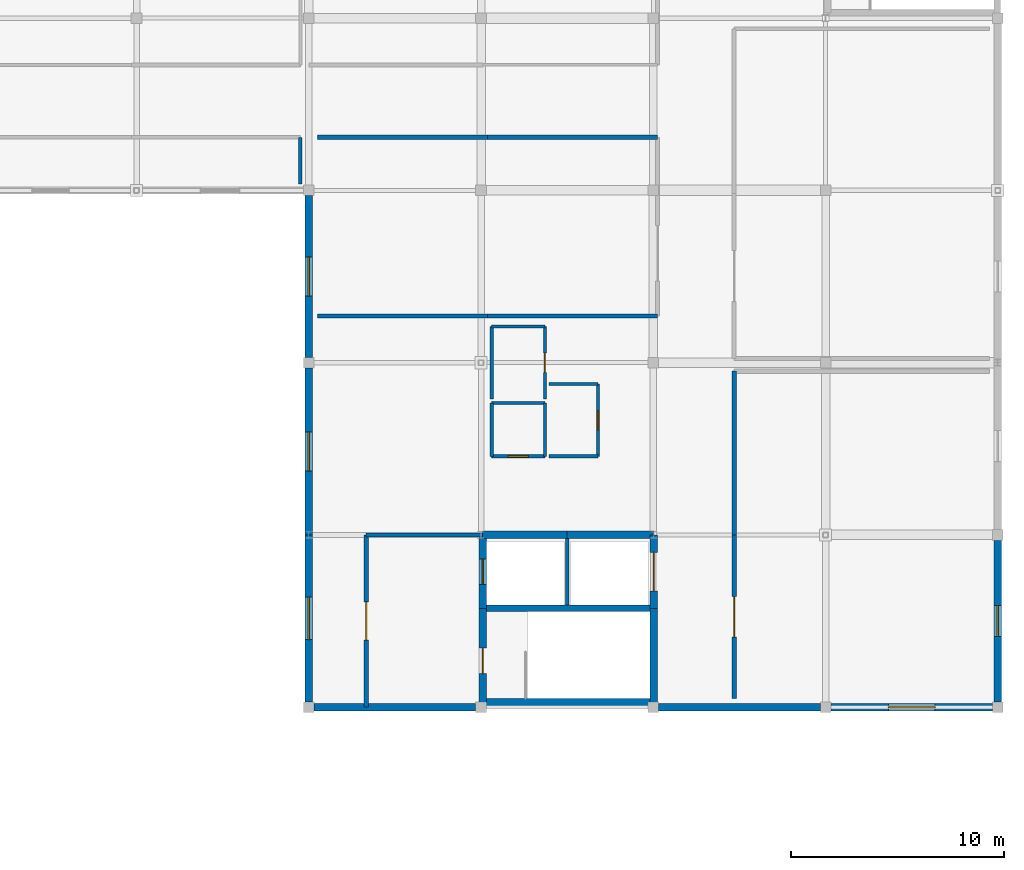
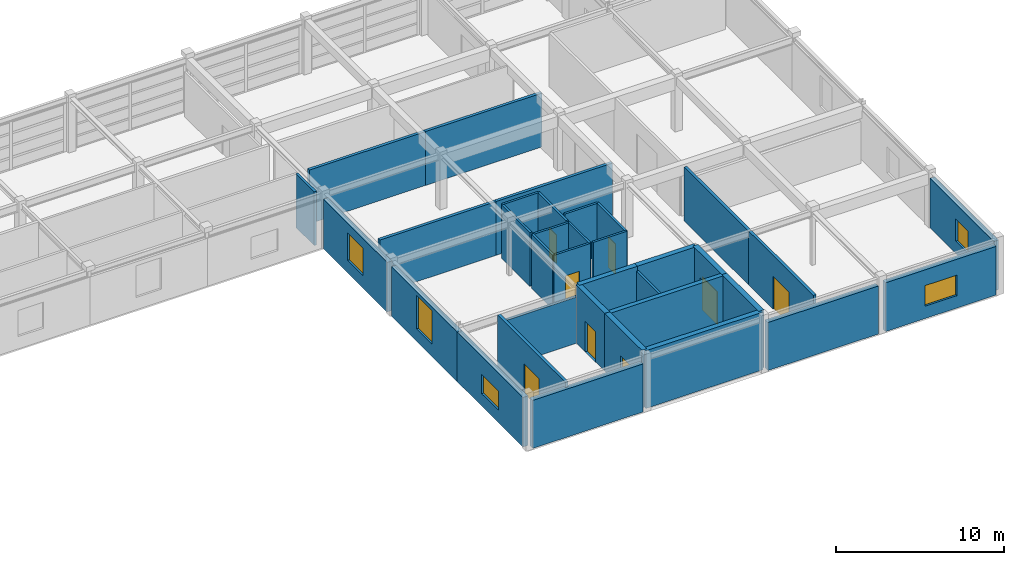
# One storey, part 17 of 19: 35 walls, 8 doors, 5 windows, 13 openings.
"""IFC4 building model written with IfcOpenShell, lengths in metres."""

from ifc_helpers import new_model, si_unit, direction, frame, frame_2d, origin, place, context, subcontext, project, spatial, rectangle, extrude, material, layer, layer_set, type_object, element, fill, save


model = new_model("IFC4")

# Units and contexts
model_context = context("Model", 3, precision=1e-05, world=origin(), true_north=direction((0.0, 1.0)))
body_context = subcontext(model_context, "Body", "Model", "MODEL_VIEW")
ifc_project = project(units=[si_unit("LENGTHUNIT", "METRE"), si_unit("AREAUNIT", "SQUARE_METRE"), si_unit("VOLUMEUNIT", "CUBIC_METRE"), si_unit("PLANEANGLEUNIT", "RADIAN"), si_unit("MASSUNIT", "GRAM", prefix="KILO")], contexts=[model_context])

# Site, building, storey
site_placement = place(None, origin())
site = spatial("IfcSite", under=ifc_project, at=site_placement, CompositionType="ELEMENT")
building_placement = place(site_placement, origin())
building = spatial("IfcBuilding", under=site, at=building_placement, Name="Parian Resonance Hall", CompositionType="ELEMENT")
storey_placement = place(building_placement, frame((0.0, 0.0, 23.39990234375)))
storey = spatial("IfcBuildingStorey", under=building, at=storey_placement, Name="L05", CompositionType="ELEMENT", Elevation=23.39990234375)

# Wall
ifc_material_1 = material(Name="Concrete C40/50", Category="concrete")
ifc_layer_1 = layer(ifc_material_1, 0.31005859375)
ifc_layer_set_1 = layer_set([ifc_layer_1], Name="Concrete C40/50")
wall_type_1 = type_object("IfcWallType", Name="CW310", PredefinedType="SHEAR", material=ifc_layer_set_1)
wall_1_placement = place(storey_placement, frame((121.570068359375, 53.25, 0.0), z_axis=(0.0, 0.0, 1.0), x_axis=(1.0, 0.0, 0.0)))
element("IfcWall", 1, at=wall_1_placement, inside=storey, type_object=wall_type_1, Name="Core K2 stair-lift divider wall L05", PredefinedType="SHEAR", context=body_context, shape_type="SweptSolid", body=[
    extrude(rectangle(XDim=8.059814453125, YDim=0.31005859375, at=frame_2d((4.02978515625, 0.0))), origin(), (0.0, 0.0, 1.0), 4.2001953125),
])

# Wall, opening, door
ifc_material_2 = material(Name="Concrete C40/50", Category="concrete")
ifc_layer_2 = layer(ifc_material_2, 0.35009765625)
ifc_layer_set_2 = layer_set([ifc_layer_2], Name="Concrete C40/50")
wall_type_2 = type_object("IfcWallType", Name="CW350", PredefinedType="SHEAR", material=ifc_layer_set_2)
wall_2_placement = place(storey_placement, frame((121.570068359375, 48.830078125, 0.0), z_axis=(0.0, 0.0, 1.0), x_axis=(0.0, 1.0, 0.0)))
wall_2 = element("IfcWall", 2, at=wall_2_placement, inside=storey, type_object=wall_type_2, Name="Core K2 stairwell west shear wall L05", PredefinedType="SHEAR", context=body_context, shape_type="SweptSolid", body=[
    extrude(rectangle(XDim=4.419921875, YDim=0.35009765625, at=frame_2d((2.2099609375, 0.0))), origin(), (0.0, 0.0, 1.0), 4.2001953125),
])
opening_1_placement = place(wall_2_placement, frame((1.35009765625, 0.0, 0.0)))
opening_1 = element("IfcOpeningElement", 3, at=opening_1_placement, cuts=wall_2, Name="Opening FD-01", PredefinedType="OPENING", context=body_context, shape_type="SweptSolid", body=[
    extrude(rectangle(XDim=1.199951171875, YDim=2.25, at=frame_2d((0.60009765625, 1.125))), frame((0.0, 0.18505859375, 0.0), z_axis=(0.0, -1.0, 0.0), x_axis=(1.0, 0.0, 0.0)), (0.0, 0.0, 1.0), 0.3701171875),
])
ifc_material_3 = material(Name="Fire-rated acoustic steel and narra timber door", Category="steel")
door_type_1 = type_object("IfcDoorType", Name="FD-01", OperationType="NOTDEFINED", PredefinedType="DOOR", material=ifc_material_3)
door_1_placement = place(opening_1_placement, origin())
door_1 = element("IfcDoor", 4, at=door_1_placement, inside=storey, type_object=door_type_1, Name="Exit stair ST-02 fire door L05", OperationType="SINGLE_SWING_RIGHT", OverallHeight=2.25, OverallWidth=1.199951171875, PredefinedType="DOOR", context=body_context, shape_type="SweptSolid", body=[
    extrude(rectangle(XDim=1.199951171875, YDim=2.25, at=frame_2d((0.60009765625, 1.125))), frame((0.0, 0.02490234375, 0.0), z_axis=(0.0, -1.0, 0.0), x_axis=(1.0, 0.0, 0.0)), (0.0, 0.0, 1.0), 0.050048828125),
])
fill(opening_1, door_1)

wall_3_placement = place(storey_placement, frame((121.570068359375, 53.25, 0.0), z_axis=(0.0, 0.0, 1.0), x_axis=(0.0, 1.0, 0.0)))
wall_3 = element("IfcWall", 5, at=wall_3_placement, inside=storey, type_object=wall_type_2, Name="Core K2 lift shaft west shear wall L05", PredefinedType="SHEAR", context=body_context, shape_type="SweptSolid", body=[
    extrude(rectangle(XDim=3.449951171875, YDim=0.35009765625, at=frame_2d((1.72509765625, 0.0))), origin(), (0.0, 0.0, 1.0), 4.2001953125),
])
opening_2_placement = place(wall_3_placement, frame((1.125, 0.0, 0.0)))
opening_2 = element("IfcOpeningElement", 6, at=opening_2_placement, cuts=wall_3, Name="Opening LD-01", PredefinedType="OPENING", context=body_context, shape_type="SweptSolid", body=[
    extrude(rectangle(XDim=1.199951171875, YDim=2.199951171875, at=frame_2d((0.60009765625, 1.10009765625))), frame((0.0, 0.18505859375, 0.0), z_axis=(0.0, -1.0, 0.0), x_axis=(1.0, 0.0, 0.0)), (0.0, 0.0, 1.0), 0.3701171875),
])
ifc_material_4 = material(Name="Stainless steel and bronze elevator cab", Category="steel")
door_type_2 = type_object("IfcDoorType", Name="DOOR-LIFT-1200x2200", OperationType="SLIDING_TO_LEFT", PredefinedType="DOOR", material=ifc_material_4)
door_2_placement = place(opening_2_placement, origin())
door_2 = element("IfcDoor", 7, at=door_2_placement, inside=storey, type_object=door_type_2, Name="Lift LF-02 sliding landing door L05", OperationType="SLIDING_TO_LEFT", OverallHeight=2.199951171875, OverallWidth=1.199951171875, PredefinedType="DOOR", context=body_context, shape_type="SweptSolid", body=[
    extrude(rectangle(XDim=1.199951171875, YDim=2.199951171875, at=frame_2d((0.60009765625, 1.10009765625))), frame((0.0, 0.02490234375, 0.0), z_axis=(0.0, -1.0, 0.0), x_axis=(1.0, 0.0, 0.0)), (0.0, 0.0, 1.0), 0.050048828125),
])
fill(opening_2, door_2)

# Walls
wall_4_placement = place(storey_placement, frame((121.570068359375, 56.699951171875, 0.0), z_axis=(0.0, 0.0, 1.0), x_axis=(1.0, 0.0, 0.0)))
element("IfcWall", 8, at=wall_4_placement, inside=storey, type_object=wall_type_2, Name="Core K2 north-west shaft wall L05", PredefinedType="SHEAR", context=body_context, shape_type="SweptSolid", body=[
    extrude(rectangle(XDim=3.97998046875, YDim=0.35009765625, at=frame_2d((1.989990234375, 0.0))), origin(), (0.0, 0.0, 1.0), 4.2001953125),
])
wall_5_placement = place(storey_placement, frame((125.550048828125, 56.699951171875, 0.0), z_axis=(0.0, 0.0, 1.0), x_axis=(1.0, 0.0, 0.0)))
element("IfcWall", 9, at=wall_5_placement, inside=storey, type_object=wall_type_2, Name="Core K2 north-east shaft wall L05", PredefinedType="SHEAR", context=body_context, shape_type="SweptSolid", body=[
    extrude(rectangle(XDim=4.079833984375, YDim=0.35009765625, at=frame_2d((2.0400390625, 0.0))), origin(), (0.0, 0.0, 1.0), 4.2001953125),
])

# Wall, opening, door
wall_6_placement = place(storey_placement, frame((129.6298828125, 56.699951171875, 0.0), z_axis=(0.0, 0.0, 1.0), x_axis=(0.0, -1.0, 0.0)))
wall_6 = element("IfcWall", 10, at=wall_6_placement, inside=storey, type_object=wall_type_2, Name="Core K2 east shaft wall L05", PredefinedType="SHEAR", context=body_context, shape_type="SweptSolid", body=[
    extrude(rectangle(XDim=3.449951171875, YDim=0.35009765625, at=frame_2d((1.72509765625, 0.0))), origin(), (0.0, 0.0, 1.0), 4.2001953125),
])
opening_3_placement = place(wall_6_placement, frame((0.824951171875, 0.0, 0.0)))
opening_3 = element("IfcOpeningElement", 11, at=opening_3_placement, cuts=wall_6, Name="Opening LD-02", PredefinedType="OPENING", context=body_context, shape_type="SweptSolid", body=[
    extrude(rectangle(XDim=1.800048828125, YDim=2.39990234375, at=frame_2d((0.89990234375, 1.199951171875))), frame((0.0, 0.18505859375, 0.0), z_axis=(0.0, -1.0, 0.0), x_axis=(1.0, 0.0, 0.0)), (0.0, 0.0, 1.0), 0.3701171875),
])
ifc_material_5 = material(Name="Stainless steel and bronze elevator cab", Category="steel")
door_type_3 = type_object("IfcDoorType", Name="DOOR-LIFT-1800x2400", OperationType="SLIDING_TO_LEFT", PredefinedType="DOOR", material=ifc_material_5)
door_3_placement = place(opening_3_placement, origin())
door_3 = element("IfcDoor", 12, at=door_3_placement, inside=storey, type_object=door_type_3, Name="Lift LF-07 sliding landing door L05", OperationType="SLIDING_TO_LEFT", OverallHeight=2.39990234375, OverallWidth=1.800048828125, PredefinedType="DOOR", context=body_context, shape_type="SweptSolid", body=[
    extrude(rectangle(XDim=1.800048828125, YDim=2.39990234375, at=frame_2d((0.89990234375, 1.199951171875))), frame((0.0, 0.02490234375, 0.0), z_axis=(0.0, -1.0, 0.0), x_axis=(1.0, 0.0, 0.0)), (0.0, 0.0, 1.0), 0.050048828125),
])
fill(opening_3, door_3)

# Walls
wall_7_placement = place(storey_placement, frame((129.6298828125, 53.25, 0.0), z_axis=(0.0, 0.0, 1.0), x_axis=(0.0, -1.0, 0.0)))
element("IfcWall", 13, at=wall_7_placement, inside=storey, type_object=wall_type_2, Name="Core K2 stairwell east wall L05", PredefinedType="SHEAR", context=body_context, shape_type="SweptSolid", body=[
    extrude(rectangle(XDim=4.419921875, YDim=0.35009765625, at=frame_2d((2.2099609375, 0.0))), origin(), (0.0, 0.0, 1.0), 4.2001953125),
])
wall_8_placement = place(storey_placement, frame((129.6298828125, 48.830078125, 0.0), z_axis=(0.0, 0.0, 1.0), x_axis=(-1.0, 0.0, 0.0)))
element("IfcWall", 14, at=wall_8_placement, inside=storey, type_object=wall_type_2, Name="Core K2 stairwell south wall L05", PredefinedType="SHEAR", context=body_context, shape_type="SweptSolid", body=[
    extrude(rectangle(XDim=8.059814453125, YDim=0.35009765625, at=frame_2d((4.02978515625, 0.0))), origin(), (0.0, 0.0, 1.0), 4.2001953125),
])

# Wall, opening, window
ifc_material_6 = material(Name="Concrete C35/45 with Carcar coral-limestone ashlar", Category="masonry")
ifc_layer_3 = layer(ifc_material_6, 0.340087890625)
ifc_layer_set_3 = layer_set([ifc_layer_3], Name="Concrete C35/45 with Carcar coral-limestone ashlar")
wall_type_3 = type_object("IfcWallType", Name="EW-STONE-340", PredefinedType="SOLIDWALL", material=ifc_layer_set_3)
wall_9_placement = place(storey_placement, frame((145.800048828125, 48.85009765625, 0.0), z_axis=(0.0, 0.0, 1.0), x_axis=(0.0, 1.0, 0.0)))
wall_9 = element("IfcWall", 15, at=wall_9_placement, inside=storey, type_object=wall_type_3, Name="Perimeter closure wall L05", PredefinedType="SOLIDWALL", context=body_context, shape_type="SweptSolid", body=[
    extrude(rectangle(XDim=7.599853515625, YDim=0.340087890625, at=frame_2d((3.7998046875, 0.0))), origin(), (0.0, 0.0, 1.0), 3.607177734375),
])
opening_4_placement = place(wall_9_placement, frame((3.074951171875, 0.0, 0.89990234375)))
opening_4 = element("IfcOpeningElement", 16, at=opening_4_placement, cuts=wall_9, Name="Opening WN-21", PredefinedType="OPENING", context=body_context, shape_type="SweptSolid", body=[
    extrude(rectangle(XDim=1.449951171875, YDim=1.60009765625, at=frame_2d((0.72509765625, 0.800048828125))), frame((0.0, 0.179931640625, 0.0), z_axis=(0.0, -1.0, 0.0), x_axis=(1.0, 0.0, 0.0)), (0.0, 0.0, 1.0), 0.360107421875),
])
ifc_material_7 = material(Name="Acoustic laminated double glazing", Category="glass")
window_type_1 = type_object("IfcWindowType", Name="WIN-1450x1600", PartitioningType="SINGLE_PANEL", PredefinedType="WINDOW", material=ifc_material_7)
window_1_placement = place(opening_4_placement, origin())
window_1 = element("IfcWindow", 17, at=window_1_placement, inside=storey, type_object=window_type_1, Name="Acoustic window L05-0128", OverallHeight=1.60009765625, OverallWidth=1.449951171875, PartitioningType="SINGLE_PANEL", PredefinedType="WINDOW", context=body_context, shape_type="SweptSolid", body=[
    extrude(rectangle(XDim=1.449951171875, YDim=1.60009765625, at=frame_2d((0.72509765625, 0.800048828125))), frame((0.0, 0.030029296875, 0.0), z_axis=(0.0, -1.0, 0.0), x_axis=(1.0, 0.0, 0.0)), (0.0, 0.0, 1.0), 0.06005859375),
])
fill(opening_4, window_1)

wall_10_placement = place(storey_placement, frame((113.39990234375, 72.64990234375, 0.0), z_axis=(0.0, 0.0, 1.0), x_axis=(0.0, -1.0, 0.0)))
wall_10 = element("IfcWall", 18, at=wall_10_placement, inside=storey, type_object=wall_type_3, Name="Perimeter closure wall L05", PredefinedType="SOLIDWALL", context=body_context, shape_type="SweptSolid", body=[
    extrude(rectangle(XDim=7.599853515625, YDim=0.340087890625, at=frame_2d((3.7998046875, 0.0))), origin(), (0.0, 0.0, 1.0), 3.607177734375),
])
opening_5_placement = place(wall_10_placement, frame((2.875, 0.0, 0.89990234375)))
opening_5 = element("IfcOpeningElement", 19, at=opening_5_placement, cuts=wall_10, Name="Opening WN-34", PredefinedType="OPENING", context=body_context, shape_type="SweptSolid", body=[
    extrude(rectangle(XDim=1.85009765625, YDim=2.0, at=frame_2d((0.925048828125, 1.0))), frame((0.0, 0.179931640625, 0.0), z_axis=(0.0, -1.0, 0.0), x_axis=(1.0, 0.0, 0.0)), (0.0, 0.0, 1.0), 0.360107421875),
])
ifc_material_8 = material(Name="Acoustic laminated double glazing", Category="glass")
window_type_2 = type_object("IfcWindowType", Name="WIN-1850x2000", PartitioningType="SINGLE_PANEL", PredefinedType="WINDOW", material=ifc_material_8)
window_2_placement = place(opening_5_placement, origin())
window_2 = element("IfcWindow", 20, at=window_2_placement, inside=storey, type_object=window_type_2, Name="Acoustic window L05-0138", OverallHeight=2.0, OverallWidth=1.85009765625, PartitioningType="SINGLE_PANEL", PredefinedType="WINDOW", context=body_context, shape_type="SweptSolid", body=[
    extrude(rectangle(XDim=1.85009765625, YDim=2.0, at=frame_2d((0.925048828125, 1.0))), frame((0.0, 0.030029296875, 0.0), z_axis=(0.0, -1.0, 0.0), x_axis=(1.0, 0.0, 0.0)), (0.0, 0.0, 1.0), 0.06005859375),
])
fill(opening_5, window_2)

wall_11_placement = place(storey_placement, frame((113.39990234375, 64.550048828125, 0.0), z_axis=(0.0, 0.0, 1.0), x_axis=(0.0, -1.0, 0.0)))
wall_11 = element("IfcWall", 21, at=wall_11_placement, inside=storey, type_object=wall_type_3, Name="Perimeter closure wall L05", PredefinedType="SOLIDWALL", context=body_context, shape_type="SweptSolid", body=[
    extrude(rectangle(XDim=7.85009765625, YDim=0.340087890625, at=frame_2d((3.925048828125, 0.0))), origin(), (0.0, 0.0, 1.0), 3.607177734375),
])
opening_6_placement = place(wall_11_placement, frame((3.0, 0.0, 0.89990234375)))
opening_6 = element("IfcOpeningElement", 22, at=opening_6_placement, cuts=wall_11, Name="Opening WN-35", PredefinedType="OPENING", context=body_context, shape_type="SweptSolid", body=[
    extrude(rectangle(XDim=1.85009765625, YDim=2.449951171875, at=frame_2d((0.925048828125, 1.22509765625))), frame((0.0, 0.179931640625, 0.0), z_axis=(0.0, -1.0, 0.0), x_axis=(1.0, 0.0, 0.0)), (0.0, 0.0, 1.0), 0.360107421875),
])
ifc_material_9 = material(Name="Acoustic laminated double glazing", Category="glass")
window_type_3 = type_object("IfcWindowType", Name="WIN-1850x2450", PartitioningType="SINGLE_PANEL", PredefinedType="WINDOW", material=ifc_material_9)
window_3_placement = place(opening_6_placement, origin())
window_3 = element("IfcWindow", 23, at=window_3_placement, inside=storey, type_object=window_type_3, Name="Acoustic window L05-0139", OverallHeight=2.449951171875, OverallWidth=1.85009765625, PartitioningType="SINGLE_PANEL", PredefinedType="WINDOW", context=body_context, shape_type="SweptSolid", body=[
    extrude(rectangle(XDim=1.85009765625, YDim=2.449951171875, at=frame_2d((0.925048828125, 1.22509765625))), frame((0.0, 0.030029296875, 0.0), z_axis=(0.0, -1.0, 0.0), x_axis=(1.0, 0.0, 0.0)), (0.0, 0.0, 1.0), 0.06005859375),
])
fill(opening_6, window_3)

wall_12_placement = place(storey_placement, frame((113.39990234375, 56.699951171875, 0.0), z_axis=(0.0, 0.0, 1.0), x_axis=(0.0, -1.0, 0.0)))
wall_12 = element("IfcWall", 24, at=wall_12_placement, inside=storey, type_object=wall_type_3, Name="Perimeter closure wall L05", PredefinedType="SOLIDWALL", context=body_context, shape_type="SweptSolid", body=[
    extrude(rectangle(XDim=7.849853515625, YDim=0.340087890625, at=frame_2d((3.9248046875, 0.0))), origin(), (0.0, 0.0, 1.0), 3.607177734375),
])
opening_7_placement = place(wall_12_placement, frame((2.925048828125, 0.0, 0.89990234375)))
opening_7 = element("IfcOpeningElement", 25, at=opening_7_placement, cuts=wall_12, Name="Opening WN-36", PredefinedType="OPENING", context=body_context, shape_type="SweptSolid", body=[
    extrude(rectangle(XDim=2.0, YDim=1.39990234375, at=frame_2d((1.0, 0.699951171875))), frame((0.0, 0.179931640625, 0.0), z_axis=(0.0, -1.0, 0.0), x_axis=(1.0, 0.0, 0.0)), (0.0, 0.0, 1.0), 0.360107421875),
])
ifc_material_10 = material(Name="Acoustic laminated double glazing", Category="glass")
window_type_4 = type_object("IfcWindowType", Name="WIN-2000x1400", PartitioningType="SINGLE_PANEL", PredefinedType="WINDOW", material=ifc_material_10)
window_4_placement = place(opening_7_placement, origin())
window_4 = element("IfcWindow", 26, at=window_4_placement, inside=storey, type_object=window_type_4, Name="Acoustic window L05-0140", OverallHeight=1.39990234375, OverallWidth=2.0, PartitioningType="SINGLE_PANEL", PredefinedType="WINDOW", context=body_context, shape_type="SweptSolid", body=[
    extrude(rectangle(XDim=2.0, YDim=1.39990234375, at=frame_2d((1.0, 0.699951171875))), frame((0.0, 0.030029296875, 0.0), z_axis=(0.0, -1.0, 0.0), x_axis=(1.0, 0.0, 0.0)), (0.0, 0.0, 1.0), 0.06005859375),
])
fill(opening_7, window_4)

# Walls
wall_13_placement = place(storey_placement, frame((113.64990234375, 48.60009765625, 0.0), z_axis=(0.0, 0.0, 1.0), x_axis=(1.0, 0.0, 0.0)))
element("IfcWall", 27, at=wall_13_placement, inside=storey, type_object=wall_type_3, Name="Perimeter closure wall L05", PredefinedType="SOLIDWALL", context=body_context, shape_type="SweptSolid", body=[
    extrude(rectangle(XDim=7.60009765625, YDim=0.340087890625, at=frame_2d((3.800048828125, 0.0))), origin(), (0.0, 0.0, 1.0), 3.4951171875),
])
wall_14_placement = place(storey_placement, frame((129.85009765625, 48.60009765625, 0.0), z_axis=(0.0, 0.0, 1.0), x_axis=(1.0, 0.0, 0.0)))
element("IfcWall", 28, at=wall_14_placement, inside=storey, type_object=wall_type_3, Name="Perimeter closure wall L05", PredefinedType="SOLIDWALL", context=body_context, shape_type="SweptSolid", body=[
    extrude(rectangle(XDim=7.599853515625, YDim=0.340087890625, at=frame_2d((3.7998046875, 0.0))), origin(), (0.0, 0.0, 1.0), 3.4951171875),
])

# Wall, opening, window
wall_15_placement = place(storey_placement, frame((137.949951171875, 48.60009765625, 0.0), z_axis=(0.0, 0.0, 1.0), x_axis=(1.0, 0.0, 0.0)))
wall_15 = element("IfcWall", 29, at=wall_15_placement, inside=storey, type_object=wall_type_3, Name="Perimeter closure wall L05", PredefinedType="SOLIDWALL", context=body_context, shape_type="SweptSolid", body=[
    extrude(rectangle(XDim=7.60009765625, YDim=0.340087890625, at=frame_2d((3.800048828125, 0.0))), origin(), (0.0, 0.0, 1.0), 3.547119140625),
])
opening_8_placement = place(wall_15_placement, frame((2.699951171875, 0.0, 0.89990234375)))
opening_8 = element("IfcOpeningElement", 30, at=opening_8_placement, cuts=wall_15, Name="Opening WN-39", PredefinedType="OPENING", context=body_context, shape_type="SweptSolid", body=[
    extrude(rectangle(XDim=2.199951171875, YDim=1.5, at=frame_2d((1.10009765625, 0.75))), frame((0.0, 0.179931640625, 0.0), z_axis=(0.0, -1.0, 0.0), x_axis=(1.0, 0.0, 0.0)), (0.0, 0.0, 1.0), 0.360107421875),
])
ifc_material_11 = material(Name="Acoustic laminated double glazing", Category="glass")
window_type_5 = type_object("IfcWindowType", Name="WIN-2200x1500", PartitioningType="SINGLE_PANEL", PredefinedType="WINDOW", material=ifc_material_11)
window_5_placement = place(opening_8_placement, origin())
window_5 = element("IfcWindow", 31, at=window_5_placement, inside=storey, type_object=window_type_5, Name="Acoustic window L05-0141", OverallHeight=1.5, OverallWidth=2.199951171875, PartitioningType="SINGLE_PANEL", PredefinedType="WINDOW", context=body_context, shape_type="SweptSolid", body=[
    extrude(rectangle(XDim=2.199951171875, YDim=1.5, at=frame_2d((1.10009765625, 0.75))), frame((0.0, 0.030029296875, 0.0), z_axis=(0.0, -1.0, 0.0), x_axis=(1.0, 0.0, 0.0)), (0.0, 0.0, 1.0), 0.06005859375),
])
fill(opening_8, window_5)

# Wall, opening, door
ifc_material_12 = material(Name="Concrete C35/45 fire barrier", Category="concrete")
ifc_layer_4 = layer(ifc_material_12, 0.199951171875)
ifc_layer_set_4 = layer_set([ifc_layer_4], Name="Concrete C35/45 fire barrier")
wall_type_4 = type_object("IfcWallType", Name="FW200", PredefinedType="PARTITIONING", material=ifc_layer_set_4)
wall_16_placement = place(storey_placement, frame((116.10009765625, 48.60009765625, 0.0), z_axis=(0.0, 0.0, 1.0), x_axis=(0.0, 1.0, 0.0)))
wall_16 = element("IfcWall", 32, at=wall_16_placement, inside=storey, type_object=wall_type_4, Name="Firefighting lift lobby K2 west fire barrier L05", PredefinedType="PARTITIONING", context=body_context, shape_type="SweptSolid", body=[
    extrude(rectangle(XDim=8.099853515625, YDim=0.199951171875, at=frame_2d((4.0498046875, 0.0))), origin(), (0.0, 0.0, 1.0), 3.900146484375),
])
opening_9_placement = place(wall_16_placement, frame((3.14990234375, 0.0, 0.0)))
opening_9 = element("IfcOpeningElement", 33, at=opening_9_placement, cuts=wall_16, Name="Opening FD-02", PredefinedType="OPENING", context=body_context, shape_type="SweptSolid", body=[
    extrude(rectangle(XDim=1.800048828125, YDim=2.25, at=frame_2d((0.89990234375, 1.125))), frame((0.0, 0.10986328125, 0.0), z_axis=(0.0, -1.0, 0.0), x_axis=(1.0, 0.0, 0.0)), (0.0, 0.0, 1.0), 0.219970703125),
])
ifc_material_13 = material(Name="Fire-rated acoustic steel and narra timber door", Category="steel")
door_type_4 = type_object("IfcDoorType", Name="FD-02", OperationType="NOTDEFINED", PredefinedType="DOOR", material=ifc_material_13)
door_4_placement = place(opening_9_placement, origin())
door_4 = element("IfcDoor", 34, at=door_4_placement, inside=storey, type_object=door_type_4, Name="Firefighting lift lobby K2 smoke-seal fire door L05", OperationType="DOUBLE_DOOR_SINGLE_SWING", OverallHeight=2.25, OverallWidth=1.800048828125, PredefinedType="DOOR", context=body_context, shape_type="SweptSolid", body=[
    extrude(rectangle(XDim=1.800048828125, YDim=2.25, at=frame_2d((0.89990234375, 1.125))), frame((0.0, 0.02490234375, 0.0), z_axis=(0.0, -1.0, 0.0), x_axis=(1.0, 0.0, 0.0)), (0.0, 0.0, 1.0), 0.050048828125),
])
fill(opening_9, door_4)

# Wall
wall_17_placement = place(storey_placement, frame((116.10009765625, 56.699951171875, 0.0), z_axis=(0.0, 0.0, 1.0), x_axis=(1.0, 0.0, 0.0)))
element("IfcWall", 35, at=wall_17_placement, inside=storey, type_object=wall_type_4, Name="Firefighting lift lobby K2 N fire barrier L05", PredefinedType="PARTITIONING", context=body_context, shape_type="SweptSolid", body=[
    extrude(rectangle(XDim=5.469970703125, YDim=0.199951171875, at=frame_2d((2.73486328125, 0.0))), origin(), (0.0, 0.0, 1.0), 3.356201171875),
])

# Wall, opening, door
wall_18_placement = place(storey_placement, frame((133.39990234375, 49.0, 0.0), z_axis=(0.0, 0.0, 1.0), x_axis=(0.0, 1.0, 0.0)))
wall_18 = element("IfcWall", 36, at=wall_18_placement, inside=storey, type_object=wall_type_4, Name="Interior acoustic partition IW-L05-0303", PredefinedType="PARTITIONING", context=body_context, shape_type="SweptSolid", body=[
    extrude(rectangle(XDim=7.699951171875, YDim=0.199951171875, at=frame_2d((3.85009765625, 0.0))), origin(), (0.0, 0.0, 1.0), 3.920166015625),
])
opening_10_placement = place(wall_18_placement, frame((2.89990234375, 0.0, 0.0)))
opening_10 = element("IfcOpeningElement", 37, at=opening_10_placement, cuts=wall_18, Name="Opening ID-03", PredefinedType="OPENING", context=body_context, shape_type="SweptSolid", body=[
    extrude(rectangle(XDim=1.89990234375, YDim=2.39990234375, at=frame_2d((0.949951171875, 1.199951171875))), frame((0.0, 0.10986328125, 0.0), z_axis=(0.0, -1.0, 0.0), x_axis=(1.0, 0.0, 0.0)), (0.0, 0.0, 1.0), 0.219970703125),
])
ifc_material_14 = material(Name="Fire-rated acoustic steel and narra timber door", Category="steel")
door_type_5 = type_object("IfcDoorType", Name="ID-HALL-1900x2400", OperationType="NOTDEFINED", PredefinedType="DOOR", material=ifc_material_14)
door_5_placement = place(opening_10_placement, origin())
door_5 = element("IfcDoor", 38, at=door_5_placement, inside=storey, type_object=door_type_5, Name="Upper Acoustic AHU Mechanical Plant door", OperationType="DOUBLE_DOOR_SINGLE_SWING", OverallHeight=2.39990234375, OverallWidth=1.89990234375, PredefinedType="DOOR", context=body_context, shape_type="SweptSolid", body=[
    extrude(rectangle(XDim=1.89990234375, YDim=2.39990234375, at=frame_2d((0.949951171875, 1.199951171875))), frame((0.0, 0.02490234375, 0.0), z_axis=(0.0, -1.0, 0.0), x_axis=(1.0, 0.0, 0.0)), (0.0, 0.0, 1.0), 0.050048828125),
])
fill(opening_10, door_5)

# Walls
wall_19_placement = place(storey_placement, frame((133.39990234375, 56.699951171875, 0.0), z_axis=(0.0, 0.0, 1.0), x_axis=(0.0, 1.0, 0.0)))
element("IfcWall", 39, at=wall_19_placement, inside=storey, type_object=wall_type_4, Name="Interior acoustic partition IW-L05-0304", PredefinedType="PARTITIONING", context=body_context, shape_type="SweptSolid", body=[
    extrude(rectangle(XDim=7.699951171875, YDim=0.199951171875, at=frame_2d((3.85009765625, 0.0))), origin(), (0.0, 0.0, 1.0), 3.920166015625),
])
for number, where, z_axis, x_axis, name in (
    (40, (129.800048828125, 67.0, 0.0), (0.0, 0.0, 1.0), (-1.0, 0.0, 0.0), "Interior acoustic partition IW-L05-0307"),
    (41, (121.800048828125, 67.0, 0.0), (0.0, 0.0, 1.0), (-1.0, 0.0, 0.0), "Interior acoustic partition IW-L05-0308"),
    (42, (113.800048828125, 75.39990234375, 0.0), (0.0, 0.0, 1.0), (1.0, 0.0, 0.0), "Interior acoustic partition IW-L05-0309"),
    (43, (121.800048828125, 75.39990234375, 0.0), (0.0, 0.0, 1.0), (1.0, 0.0, 0.0), "Interior acoustic partition IW-L05-0310"),
):
    element("IfcWall", number, at=place(storey_placement, frame(where, z_axis=z_axis, x_axis=x_axis)), inside=storey, type_object=wall_type_4, Name=name, PredefinedType="PARTITIONING", context=body_context, shape_type="SweptSolid", body=[
        extrude(rectangle(XDim=8.0, YDim=0.199951171875, at=frame_2d((4.0, 0.0))), origin(), (0.0, 0.0, 1.0), 3.920166015625),
    ])
ifc_material_15 = material(Name="Concrete C35/45 acoustic plumbing chase wall", Category="concrete")
ifc_layer_5 = layer(ifc_material_15, 0.14990234375)
ifc_layer_set_5 = layer_set([ifc_layer_5], Name="Concrete C35/45 acoustic plumbing chase wall")
wall_type_5 = type_object("IfcWallType", Name="PW150", PredefinedType="PLUMBINGWALL", material=ifc_layer_set_5)
wall_20_placement = place(storey_placement, frame((125.550048828125, 53.409912109375, 0.0), z_axis=(0.0, 0.0, 1.0), x_axis=(0.0, 1.0, 0.0)))
element("IfcWall", 44, at=wall_20_placement, inside=storey, type_object=wall_type_5, Name="Core K2 shaft plumbing/riser divider L05", PredefinedType="PLUMBINGWALL", context=body_context, shape_type="SweptSolid", body=[
    extrude(rectangle(XDim=3.130126953125, YDim=0.14990234375, at=frame_2d((1.56494140625, 0.0))), origin(), (0.0, 0.0, 1.0), 3.85009765625),
])
wall_21_placement = place(storey_placement, frame((124.5, 62.89990234375, 0.0), z_axis=(0.0, 0.0, 1.0), x_axis=(0.0, -1.0, 0.0)))
element("IfcWall", 45, at=wall_21_placement, inside=storey, type_object=wall_type_5, Name="Interior acoustic partition IW-L05-0280", PredefinedType="PLUMBINGWALL", context=body_context, shape_type="SweptSolid", body=[
    extrude(rectangle(XDim=2.5, YDim=0.14990234375, at=frame_2d((1.25, 0.0))), origin(), (0.0, 0.0, 1.0), 3.920166015625),
])

# Wall, opening, door
wall_22_placement = place(storey_placement, frame((124.5, 60.39990234375, 0.0), z_axis=(0.0, 0.0, 1.0), x_axis=(-1.0, 0.0, 0.0)))
wall_22 = element("IfcWall", 46, at=wall_22_placement, inside=storey, type_object=wall_type_5, Name="Interior acoustic partition IW-L05-0281", PredefinedType="PLUMBINGWALL", context=body_context, shape_type="SweptSolid", body=[
    extrude(rectangle(XDim=2.5, YDim=0.14990234375, at=frame_2d((1.25, 0.0))), origin(), (0.0, 0.0, 1.0), 3.920166015625),
])
opening_11_placement = place(wall_22_placement, frame((0.77001953125, 0.0, 0.0)))
opening_11 = element("IfcOpeningElement", 47, at=opening_11_placement, cuts=wall_22, Name="Opening ID-21", PredefinedType="OPENING", context=body_context, shape_type="SweptSolid", body=[
    extrude(rectangle(XDim=0.9599609375, YDim=2.159912109375, at=frame_2d((0.47998046875, 1.080078125))), frame((0.0, 0.0849609375, 0.0), z_axis=(0.0, -1.0, 0.0), x_axis=(1.0, 0.0, 0.0)), (0.0, 0.0, 1.0), 0.169921875),
])
ifc_material_16 = material(Name="Philippine narra acoustic timber door", Category="wood")
door_type_6 = type_object("IfcDoorType", Name="ID-AWC-0960x2160", OperationType="NOTDEFINED", PredefinedType="DOOR", material=ifc_material_16)
door_6_placement = place(opening_11_placement, origin())
door_6 = element("IfcDoor", 48, at=door_6_placement, inside=storey, type_object=door_type_6, Name="Accessible WC W1 door", OperationType="SINGLE_SWING_LEFT", OverallHeight=2.159912109375, OverallWidth=0.9599609375, PredefinedType="DOOR", context=body_context, shape_type="SweptSolid", body=[
    extrude(rectangle(XDim=0.9599609375, YDim=2.159912109375, at=frame_2d((0.47998046875, 1.080078125))), frame((0.0, 0.02490234375, 0.0), z_axis=(0.0, -1.0, 0.0), x_axis=(1.0, 0.0, 0.0)), (0.0, 0.0, 1.0), 0.050048828125),
])
fill(opening_11, door_6)

# Walls
for number, where, z_axis, x_axis, name in (
    (49, (122.0, 60.39990234375, 0.0), (0.0, 0.0, 1.0), (0.0, 1.0, 0.0), "Interior acoustic partition IW-L05-0282"),
    (50, (122.0, 62.89990234375, 0.0), (0.0, 0.0, 1.0), (1.0, 0.0, 0.0), "Interior acoustic partition IW-L05-0283"),
):
    element("IfcWall", number, at=place(storey_placement, frame(where, z_axis=z_axis, x_axis=x_axis)), inside=storey, type_object=wall_type_5, Name=name, PredefinedType="PLUMBINGWALL", context=body_context, shape_type="SweptSolid", body=[
        extrude(rectangle(XDim=2.5, YDim=0.14990234375, at=frame_2d((1.25, 0.0))), origin(), (0.0, 0.0, 1.0), 3.920166015625),
    ])

# Wall, opening, door
wall_23_placement = place(storey_placement, frame((127.0, 63.800048828125, 0.0), z_axis=(0.0, 0.0, 1.0), x_axis=(0.0, -1.0, 0.0)))
wall_23 = element("IfcWall", 51, at=wall_23_placement, inside=storey, type_object=wall_type_5, Name="Interior acoustic partition IW-L05-0284", PredefinedType="PLUMBINGWALL", context=body_context, shape_type="SweptSolid", body=[
    extrude(rectangle(XDim=3.400146484375, YDim=0.14990234375, at=frame_2d((1.7001953125, 0.0))), origin(), (0.0, 0.0, 1.0), 3.920166015625),
])
opening_12_placement = place(wall_23_placement, frame((1.25, 0.0, 0.0)))
opening_12 = element("IfcOpeningElement", 52, at=opening_12_placement, cuts=wall_23, Name="Opening ID-23", PredefinedType="OPENING", context=body_context, shape_type="SweptSolid", body=[
    extrude(rectangle(XDim=0.89990234375, YDim=2.199951171875, at=frame_2d((0.449951171875, 1.10009765625))), frame((0.0, 0.0849609375, 0.0), z_axis=(0.0, -1.0, 0.0), x_axis=(1.0, 0.0, 0.0)), (0.0, 0.0, 1.0), 0.169921875),
])
ifc_material_17 = material(Name="Philippine narra acoustic timber door", Category="wood")
door_type_7 = type_object("IfcDoorType", Name="ID-WC-0900x2200", OperationType="NOTDEFINED", PredefinedType="DOOR", material=ifc_material_17)
door_7_placement = place(opening_12_placement, origin())
door_7 = element("IfcDoor", 53, at=door_7_placement, inside=storey, type_object=door_type_7, Name="Female Restroom W1 door", OperationType="SINGLE_SWING_RIGHT", OverallHeight=2.199951171875, OverallWidth=0.89990234375, PredefinedType="DOOR", context=body_context, shape_type="SweptSolid", body=[
    extrude(rectangle(XDim=0.89990234375, YDim=2.199951171875, at=frame_2d((0.449951171875, 1.10009765625))), frame((0.0, 0.02490234375, 0.0), z_axis=(0.0, -1.0, 0.0), x_axis=(1.0, 0.0, 0.0)), (0.0, 0.0, 1.0), 0.050048828125),
])
fill(opening_12, door_7)

# Walls
for number, where, z_axis, x_axis, name in (
    (54, (127.0, 60.39990234375, 0.0), (0.0, 0.0, 1.0), (-1.0, 0.0, 0.0), "Interior acoustic partition IW-L05-0285"),
    (55, (124.699951171875, 63.800048828125, 0.0), (0.0, 0.0, 1.0), (1.0, 0.0, 0.0), "Interior acoustic partition IW-L05-0286"),
):
    element("IfcWall", number, at=place(storey_placement, frame(where, z_axis=z_axis, x_axis=x_axis)), inside=storey, type_object=wall_type_5, Name=name, PredefinedType="PLUMBINGWALL", context=body_context, shape_type="SweptSolid", body=[
        extrude(rectangle(XDim=2.300048828125, YDim=0.14990234375, at=frame_2d((1.14990234375, 0.0))), origin(), (0.0, 0.0, 1.0), 3.920166015625),
    ])

# Wall, opening, door
wall_24_placement = place(storey_placement, frame((124.5, 66.5, 0.0), z_axis=(0.0, 0.0, 1.0), x_axis=(0.0, -1.0, 0.0)))
wall_24 = element("IfcWall", 56, at=wall_24_placement, inside=storey, type_object=wall_type_5, Name="Interior acoustic partition IW-L05-0287", PredefinedType="PLUMBINGWALL", context=body_context, shape_type="SweptSolid", body=[
    extrude(rectangle(XDim=3.39990234375, YDim=0.14990234375, at=frame_2d((1.699951171875, 0.0))), origin(), (0.0, 0.0, 1.0), 3.920166015625),
])
opening_13_placement = place(wall_24_placement, frame((1.25, 0.0, 0.0)))
opening_13 = element("IfcOpeningElement", 57, at=opening_13_placement, cuts=wall_24, Name="Opening ID-22", PredefinedType="OPENING", context=body_context, shape_type="SweptSolid", body=[
    extrude(rectangle(XDim=0.89990234375, YDim=2.10009765625, at=frame_2d((0.449951171875, 1.050048828125))), frame((0.0, 0.0849609375, 0.0), z_axis=(0.0, -1.0, 0.0), x_axis=(1.0, 0.0, 0.0)), (0.0, 0.0, 1.0), 0.169921875),
])
ifc_material_18 = material(Name="Philippine narra acoustic timber door", Category="wood")
door_type_8 = type_object("IfcDoorType", Name="ID-WC-0900x2100", OperationType="NOTDEFINED", PredefinedType="DOOR", material=ifc_material_18)
door_8_placement = place(opening_13_placement, origin())
door_8 = element("IfcDoor", 58, at=door_8_placement, inside=storey, type_object=door_type_8, Name="Male Restroom W1 door", OperationType="SINGLE_SWING_LEFT", OverallHeight=2.10009765625, OverallWidth=0.89990234375, PredefinedType="DOOR", context=body_context, shape_type="SweptSolid", body=[
    extrude(rectangle(XDim=0.89990234375, YDim=2.10009765625, at=frame_2d((0.449951171875, 1.050048828125))), frame((0.0, 0.02490234375, 0.0), z_axis=(0.0, -1.0, 0.0), x_axis=(1.0, 0.0, 0.0)), (0.0, 0.0, 1.0), 0.050048828125),
])
fill(opening_13, door_8)

# Walls
wall_25_placement = place(storey_placement, frame((122.0, 63.10009765625, 0.0), z_axis=(0.0, 0.0, 1.0), x_axis=(0.0, 1.0, 0.0)))
element("IfcWall", 59, at=wall_25_placement, inside=storey, type_object=wall_type_5, Name="Interior acoustic partition IW-L05-0288", PredefinedType="PLUMBINGWALL", context=body_context, shape_type="SweptSolid", body=[
    extrude(rectangle(XDim=3.39990234375, YDim=0.14990234375, at=frame_2d((1.699951171875, 0.0))), origin(), (0.0, 0.0, 1.0), 3.920166015625),
])
wall_26_placement = place(storey_placement, frame((122.0, 66.5, 0.0), z_axis=(0.0, 0.0, 1.0), x_axis=(1.0, 0.0, 0.0)))
element("IfcWall", 60, at=wall_26_placement, inside=storey, type_object=wall_type_5, Name="Interior acoustic partition IW-L05-0289", PredefinedType="PLUMBINGWALL", context=body_context, shape_type="SweptSolid", body=[
    extrude(rectangle(XDim=2.5, YDim=0.14990234375, at=frame_2d((1.25, 0.0))), origin(), (0.0, 0.0, 1.0), 3.920166015625),
])
ifc_material_19 = material(Name="Concrete C35/45 acoustic masonry partition", Category="masonry")
ifc_layer_6 = layer(ifc_material_19, 0.159912109375)
ifc_layer_set_6 = layer_set([ifc_layer_6], Name="Concrete C35/45 acoustic masonry partition")
wall_type_6 = type_object("IfcWallType", Name="PW160", PredefinedType="PARTITIONING", material=ifc_layer_set_6)
wall_27_placement = place(storey_placement, frame((113.0, 75.39990234375, 0.0), z_axis=(0.0, 0.0, 1.0), x_axis=(0.0, -1.0, 0.0)))
element("IfcWall", 61, at=wall_27_placement, inside=storey, type_object=wall_type_6, Name="Interior acoustic partition IW-L05-0315", PredefinedType="PARTITIONING", context=body_context, shape_type="SweptSolid", body=[
    extrude(rectangle(XDim=2.199951171875, YDim=0.159912109375, at=frame_2d((1.10009765625, 0.0))), origin(), (0.0, 0.0, 1.0), 3.920166015625),
])

save(model, "model.ifc")
